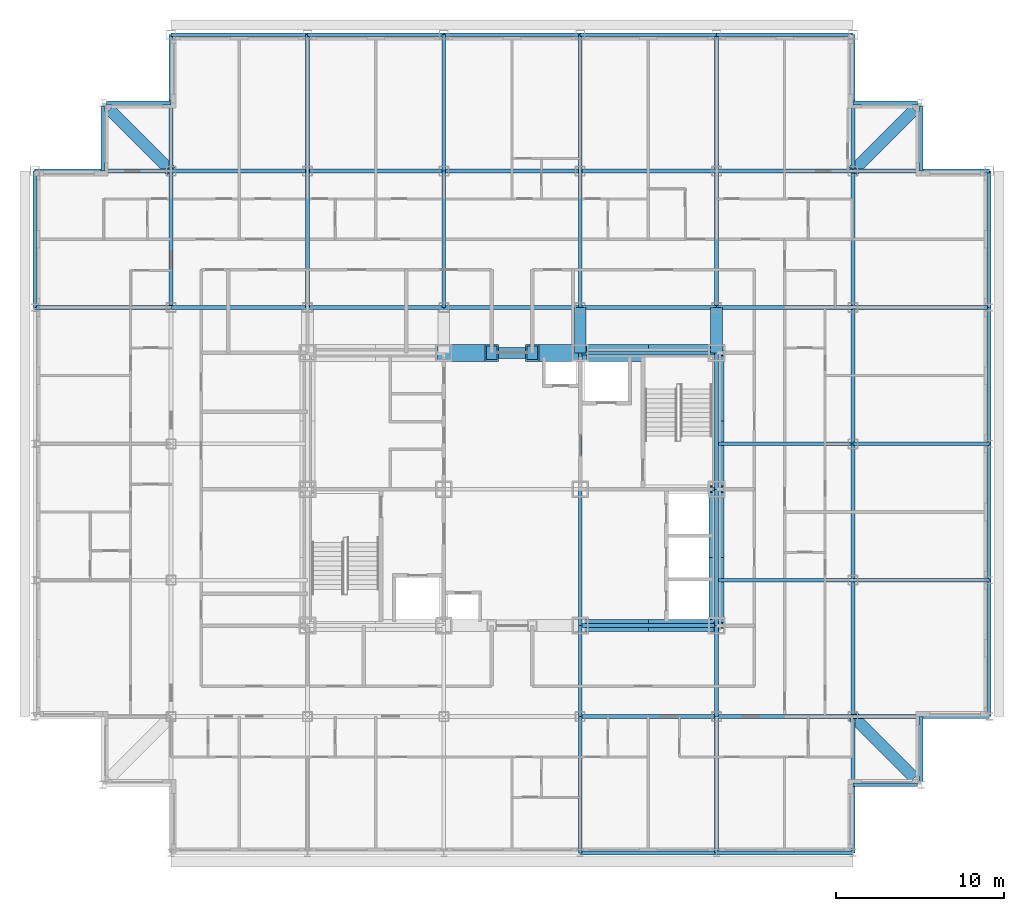
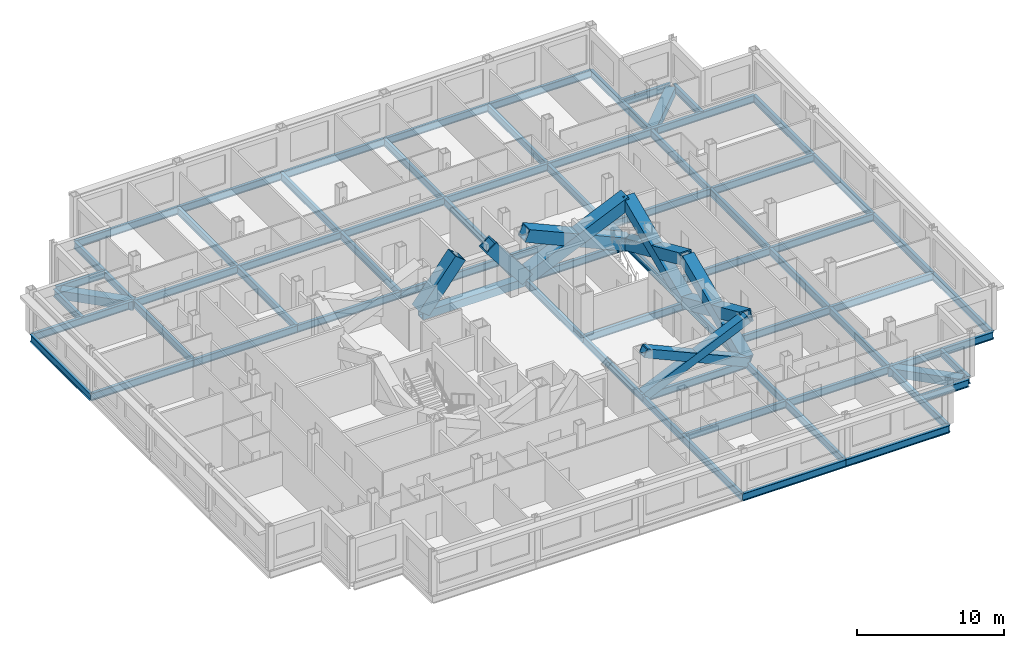
# One storey, part 2 of 12: 72 beams, 10 members.
"""IFC4 building model written with IfcOpenShell, lengths in metres."""

from ifc_helpers import new_model, si_unit, direction, frame, origin, origin_2d, place, context, subcontext, project, spatial, hollow_rectangle, i_section, extrude, material, material_profile, profile_set, type_object, element, save


model = new_model("IFC4")

# Units and contexts
model_context = context("Model", 3, precision=1e-05, world=origin(), true_north=direction((0.0, 1.0)))
body_context = subcontext(model_context, "Body", "Model", "MODEL_VIEW")
ifc_project = project(units=[si_unit("LENGTHUNIT", "METRE"), si_unit("AREAUNIT", "SQUARE_METRE"), si_unit("VOLUMEUNIT", "CUBIC_METRE"), si_unit("PLANEANGLEUNIT", "RADIAN"), si_unit("MASSUNIT", "GRAM", prefix="KILO")], contexts=[model_context])

# Site, building, storey
site_placement = place(None, origin())
site = spatial("IfcSite", under=ifc_project, at=site_placement, CompositionType="ELEMENT")
building_placement = place(site_placement, origin())
building = spatial("IfcBuilding", under=site, at=building_placement, Name="Kopane Lantern Tower", CompositionType="ELEMENT")
storey_placement = place(building_placement, frame((0.0, 0.0, 202.800048828125)))
storey = spatial("IfcBuildingStorey", under=building, at=storey_placement, Name="L52", CompositionType="ELEMENT", Elevation=202.800048828125)

# Members
ifc_material_1 = material(Name="Steel S355JR", Category="steel")
ifc_material_profile_1 = material_profile(ifc_material_1, hollow_rectangle(XDim=1.0, YDim=1.0, WallThickness=0.10009765625, at=origin_2d()), Name="BOX 1000x1000x100")
ifc_profile_set_1 = profile_set([ifc_material_profile_1], Name="Steel S355JR")
member_type_1 = type_object("IfcMemberType", Name="BRACE BOX 1000x1000x100", PredefinedType="BRACE", material=ifc_profile_set_1)
for number, where, z_axis, x_axis, name in (
    (1, (24.300048828125, 40.5, -0.2099609375), (0.620698858423, 0.0, 0.784049059149), (0.0, 1.0, 0.0), "Core brace L52"),
    (2, (32.39990234375, 40.5, -0.2099609375), (-0.620698858423, 0.0, 0.784049059149), (0.0, -1.0, 0.0), "Core brace L52"),
):
    element("IfcMember", number, at=place(storey_placement, frame(where, z_axis=z_axis, x_axis=x_axis)), inside=storey, type_object=member_type_1, Name=name, PredefinedType="BRACE", context=body_context, shape_type="SweptSolid", body=[
        extrude(hollow_rectangle(XDim=1.0, YDim=1.0, WallThickness=0.10009765625, at=origin_2d()), origin(), (0.0, 0.0, 1.0), 4.59130859375),
    ])
for number, where, z_axis, x_axis, name in (
    (3, (32.39990234375, 40.5, -0.2099609375), (0.913819498983, 0.0, 0.406120577265), (0.0, 1.0, 0.0), "Core brace L52"),
    (4, (40.5, 40.5, -0.2099609375), (-0.913819498983, 0.0, 0.406120577265), (0.0, -1.0, 0.0), "Core brace L52"),
):
    element("IfcMember", number, at=place(storey_placement, frame(where, z_axis=z_axis, x_axis=x_axis)), inside=storey, type_object=member_type_1, Name=name, PredefinedType="BRACE", context=body_context, shape_type="SweptSolid", body=[
        extrude(hollow_rectangle(XDim=1.0, YDim=1.0, WallThickness=0.10009765625, at=origin_2d()), origin(), (0.0, 0.0, 1.0), 8.864013671875),
    ])
ifc_material_2 = material(Name="Steel S355JR", Category="steel")
ifc_material_profile_2 = material_profile(ifc_material_2, hollow_rectangle(XDim=0.699951171875, YDim=0.699951171875, WallThickness=0.06005859375, at=origin_2d()), Name="BOX 700x700x60")
ifc_profile_set_2 = profile_set([ifc_material_profile_2], Name="Steel S355JR")
member_type_2 = type_object("IfcMemberType", Name="BRACE BOX 700x700x60", PredefinedType="BRACE", material=ifc_profile_set_2)
for number, where, z_axis, x_axis, name in (
    (5, (32.39990234375, 24.300048828125, -0.2099609375), (0.913819498983, 0.0, 0.406120577265), (0.0, 1.0, 0.0), "Core brace L52"),
    (6, (40.5, 24.300048828125, -0.2099609375), (-0.913819498983, 0.0, 0.406120577265), (0.0, -1.0, 0.0), "Core brace L52"),
):
    element("IfcMember", number, at=place(storey_placement, frame(where, z_axis=z_axis, x_axis=x_axis)), inside=storey, type_object=member_type_2, Name=name, PredefinedType="BRACE", context=body_context, shape_type="SweptSolid", body=[
        extrude(hollow_rectangle(XDim=0.699951171875, YDim=0.699951171875, WallThickness=0.06005859375, at=origin_2d()), origin(), (0.0, 0.0, 1.0), 8.864013671875),
    ])
ifc_material_3 = material(Name="Steel S355JR", Category="steel")
ifc_material_profile_3 = material_profile(ifc_material_3, hollow_rectangle(XDim=0.89990234375, YDim=0.89990234375, WallThickness=0.090087890625, at=origin_2d()), Name="BOX 900x900x90")
ifc_profile_set_3 = profile_set([ifc_material_profile_3], Name="Steel S355JR")
member_type_3 = type_object("IfcMemberType", Name="BRACE BOX 900x900x90", PredefinedType="BRACE", material=ifc_profile_set_3)
for number, where, z_axis, x_axis, name in (
    (7, (40.5, 24.300048828125, -0.2099609375), (0.0, 0.913814956047, 0.406130799256), (-1.0, 0.0, 0.0), "Core brace L52"),
    (8, (40.5, 32.39990234375, -0.2099609375), (0.0, -0.913814956047, 0.406130799256), (1.0, 0.0, 0.0), "Core brace L52"),
):
    element("IfcMember", number, at=place(storey_placement, frame(where, z_axis=z_axis, x_axis=x_axis)), inside=storey, type_object=member_type_3, Name=name, PredefinedType="BRACE", context=body_context, shape_type="SweptSolid", body=[
        extrude(hollow_rectangle(XDim=0.89990234375, YDim=0.89990234375, WallThickness=0.090087890625, at=origin_2d()), origin(), (0.0, 0.0, 1.0), 8.86376953125),
    ])
for number, where, z_axis, x_axis, name in (
    (9, (40.5, 32.39990234375, -0.2099609375), (0.0, 0.913819498983, 0.406120577265), (-1.0, 0.0, 0.0), "Core brace L52"),
    (10, (40.5, 40.5, -0.2099609375), (0.0, -0.913819498983, 0.406120577265), (1.0, 0.0, 0.0), "Core brace L52"),
):
    element("IfcMember", number, at=place(storey_placement, frame(where, z_axis=z_axis, x_axis=x_axis)), inside=storey, type_object=member_type_3, Name=name, PredefinedType="BRACE", context=body_context, shape_type="SweptSolid", body=[
        extrude(hollow_rectangle(XDim=0.89990234375, YDim=0.89990234375, WallThickness=0.090087890625, at=origin_2d()), origin(), (0.0, 0.0, 1.0), 8.864013671875),
    ])

# Beams
ifc_material_4 = material(Name="Steel S355JR", Category="steel")
ifc_material_profile_4 = material_profile(ifc_material_4, i_section(OverallWidth=0.22900390625, OverallDepth=0.6123046875, WebThickness=0.011962890625, FlangeThickness=0.01953125, FilletRadius=0.0126953125, at=origin_2d()), Name="UB 610x229x125")
ifc_profile_set_4 = profile_set([ifc_material_profile_4], Name="Steel S355JR")
beam_type_1 = type_object("IfcBeamType", Name="CORE BEAM UB 610x229x125", PredefinedType="BEAM", material=ifc_profile_set_4)
beam_1_placement = place(storey_placement, frame((32.39990234375, 24.300048828125, -0.51611328125), z_axis=(0.0, 1.0, 0.0), x_axis=(-1.0, 0.0, 0.0)))
element("IfcBeam", 11, at=beam_1_placement, inside=storey, type_object=beam_type_1, Name="Core Beam L52", PredefinedType="BEAM", context=body_context, shape_type="SweptSolid", body=[
    extrude(i_section(OverallWidth=0.22900390625, OverallDepth=0.6123046875, WebThickness=0.011962890625, FlangeThickness=0.01953125, FilletRadius=0.0126953125, at=origin_2d()), origin(), (0.0, 0.0, 1.0), 8.099853515625),
])
for number, where, z_axis, x_axis, name in (
    (12, (32.39990234375, 32.39990234375, -0.51611328125), (0.0, 1.0, 0.0), (-1.0, 0.0, 0.0), "Core Beam L52"),
    (13, (32.39990234375, 32.39990234375, -0.51611328125), (1.0, 0.0, 0.0), (0.0, 1.0, 0.0), "Core Beam L52"),
):
    element("IfcBeam", number, at=place(storey_placement, frame(where, z_axis=z_axis, x_axis=x_axis)), inside=storey, type_object=beam_type_1, Name=name, PredefinedType="BEAM", context=body_context, shape_type="SweptSolid", body=[
        extrude(i_section(OverallWidth=0.22900390625, OverallDepth=0.6123046875, WebThickness=0.011962890625, FlangeThickness=0.01953125, FilletRadius=0.0126953125, at=origin_2d()), origin(), (0.0, 0.0, 1.0), 8.10009765625),
    ])
ifc_material_5 = material(Name="Steel S355JR", Category="steel")
ifc_material_profile_5 = material_profile(ifc_material_5, hollow_rectangle(XDim=0.699951171875, YDim=0.699951171875, WallThickness=0.06005859375, at=origin_2d()), Name="BOX 700x700x60")
ifc_profile_set_5 = profile_set([ifc_material_profile_5], Name="Steel S355JR")
beam_type_2 = type_object("IfcBeamType", Name="CORNER TIE BEAM BOX 700x700x60", PredefinedType="BEAM", material=ifc_profile_set_5)
for number, where, z_axis, x_axis, name in (
    (14, (4.447509765625, 54.952392578125, -0.56005859375), (0.70713041325, -0.707083148333, 0.0), (0.707083148333, 0.70713041325, 0.0), "Corner Tie Beam L52"),
    (15, (52.25244140625, 15.24755859375, -0.56005859375), (-0.707106781187, 0.707106781187, 0.0), (-0.707106781187, -0.707106781187, 0.0), "Corner Tie Beam L52"),
    (16, (52.25244140625, 54.952392578125, -0.56005859375), (-0.707106781187, -0.707106781187, 0.0), (0.707106781187, -0.707106781187, 0.0), "Corner Tie Beam L52"),
):
    element("IfcBeam", number, at=place(storey_placement, frame(where, z_axis=z_axis, x_axis=x_axis)), inside=storey, type_object=beam_type_2, Name=name, PredefinedType="BEAM", context=body_context, shape_type="SweptSolid", body=[
        extrude(hollow_rectangle(XDim=0.699951171875, YDim=0.699951171875, WallThickness=0.06005859375, at=origin_2d()), origin(), (0.0, 0.0, 1.0), 5.165283203125),
    ])
ifc_material_6 = material(Name="Steel S355JR", Category="steel")
ifc_material_profile_6 = material_profile(ifc_material_6, i_section(OverallWidth=0.22900390625, OverallDepth=0.6123046875, WebThickness=0.011962890625, FlangeThickness=0.01953125, FilletRadius=0.0126953125, at=origin_2d()), Name="UB 610x229x125")
ifc_profile_set_6 = profile_set([ifc_material_profile_6], Name="Steel S355JR")
beam_type_3 = type_object("IfcBeamType", Name="EDGE BEAM UB 610x229x125", PredefinedType="BEAM", material=ifc_profile_set_6)
beam_2_placement = place(storey_placement, frame((4.050048828125, 55.146484375, -0.51611328125), z_axis=(0.0, -1.0, 0.0), x_axis=(1.0, 0.0, 0.0)))
element("IfcBeam", 17, at=beam_2_placement, inside=storey, type_object=beam_type_3, Name="Edge Beam L52", PredefinedType="BEAM", context=body_context, shape_type="SweptSolid", body=[
    extrude(i_section(OverallWidth=0.22900390625, OverallDepth=0.6123046875, WebThickness=0.011962890625, FlangeThickness=0.01953125, FilletRadius=0.0126953125, at=origin_2d()), origin(), (0.0, 0.0, 1.0), 3.846435546875),
])
beam_3_placement = place(storey_placement, frame((4.25341796875, 55.35009765625, -0.51611328125), z_axis=(1.0, 0.0, 0.0), x_axis=(0.0, 1.0, 0.0)))
element("IfcBeam", 18, at=beam_3_placement, inside=storey, type_object=beam_type_3, Name="Edge Beam L52", PredefinedType="BEAM", context=body_context, shape_type="SweptSolid", body=[
    extrude(i_section(OverallWidth=0.22900390625, OverallDepth=0.6123046875, WebThickness=0.011962890625, FlangeThickness=0.01953125, FilletRadius=0.0126953125, at=origin_2d()), origin(), (0.0, 0.0, 1.0), 3.8466796875),
])
for number, where, z_axis, x_axis, name in (
    (19, (52.446533203125, 14.85009765625, -0.51611328125), (-1.0, 0.0, 0.0), (0.0, -1.0, 0.0), "Edge Beam L52"),
    (20, (52.446533203125, 55.35009765625, -0.51611328125), (-1.0, 0.0, 0.0), (0.0, -1.0, 0.0), "Edge Beam L52"),
    (21, (52.64990234375, 15.053466796875, -0.51611328125), (0.0, 1.0, 0.0), (-1.0, 0.0, 0.0), "Edge Beam L52"),
    (22, (52.64990234375, 55.146484375, -0.51611328125), (0.0, -1.0, 0.0), (1.0, 0.0, 0.0), "Edge Beam L52"),
):
    element("IfcBeam", number, at=place(storey_placement, frame(where, z_axis=z_axis, x_axis=x_axis)), inside=storey, type_object=beam_type_3, Name=name, PredefinedType="BEAM", context=body_context, shape_type="SweptSolid", body=[
        extrude(i_section(OverallWidth=0.22900390625, OverallDepth=0.6123046875, WebThickness=0.011962890625, FlangeThickness=0.01953125, FilletRadius=0.0126953125, at=origin_2d()), origin(), (0.0, 0.0, 1.0), 3.846435546875),
    ])
ifc_material_7 = material(Name="Steel S355JR", Category="steel")
ifc_material_profile_7 = material_profile(ifc_material_7, hollow_rectangle(XDim=0.699951171875, YDim=0.699951171875, WallThickness=0.06005859375, at=origin_2d()), Name="BOX 700x700x60")
ifc_profile_set_7 = profile_set([ifc_material_profile_7], Name="Steel S355JR")
beam_type_4 = type_object("IfcBeamType", Name="GIRDER BOX 700x700x60", PredefinedType="BEAM", material=ifc_profile_set_7)
for number, where, z_axis, x_axis, name in (
    (23, (32.39990234375, 40.5, -0.56005859375), (0.0, 1.0, 0.0), (-1.0, 0.0, 0.0), "Girder L52"),
    (24, (40.5, 40.5, -0.56005859375), (0.0, 1.0, 0.0), (-1.0, 0.0, 0.0), "Girder L52"),
):
    element("IfcBeam", number, at=place(storey_placement, frame(where, z_axis=z_axis, x_axis=x_axis)), inside=storey, type_object=beam_type_4, Name=name, PredefinedType="BEAM", context=body_context, shape_type="SweptSolid", body=[
        extrude(hollow_rectangle(XDim=0.699951171875, YDim=0.699951171875, WallThickness=0.06005859375, at=origin_2d()), origin(), (0.0, 0.0, 1.0), 2.699951171875),
    ])
ifc_material_8 = material(Name="Steel S355JR", Category="steel")
ifc_material_profile_8 = material_profile(ifc_material_8, i_section(OverallWidth=0.22900390625, OverallDepth=0.6123046875, WebThickness=0.011962890625, FlangeThickness=0.01953125, FilletRadius=0.0126953125, at=origin_2d()), Name="UB 610x229x125")
ifc_profile_set_8 = profile_set([ifc_material_profile_8], Name="Steel S355JR")
beam_type_5 = type_object("IfcBeamType", Name="GIRDER UB 610x229x125", PredefinedType="BEAM", material=ifc_profile_set_8)
for number, where, z_axis, x_axis, name in (
    (25, (0.0, 43.199951171875, -0.51611328125), (0.0, 1.0, 0.0), (-1.0, 0.0, 0.0), "Girder L52"),
    (26, (0.0, 43.199951171875, -0.51611328125), (1.0, 0.0, 0.0), (0.0, 1.0, 0.0), "Girder L52"),
    (27, (0.0, 51.300048828125, -0.51611328125), (1.0, 0.0, 0.0), (0.0, 1.0, 0.0), "Girder L52"),
    (28, (8.10009765625, 43.199951171875, -0.51611328125), (0.0, 1.0, 0.0), (-1.0, 0.0, 0.0), "Girder L52"),
):
    element("IfcBeam", number, at=place(storey_placement, frame(where, z_axis=z_axis, x_axis=x_axis)), inside=storey, type_object=beam_type_5, Name=name, PredefinedType="BEAM", context=body_context, shape_type="SweptSolid", body=[
        extrude(i_section(OverallWidth=0.22900390625, OverallDepth=0.6123046875, WebThickness=0.011962890625, FlangeThickness=0.01953125, FilletRadius=0.0126953125, at=origin_2d()), origin(), (0.0, 0.0, 1.0), 8.10009765625),
    ])
for number, where, z_axis, x_axis, name in (
    (29, (8.10009765625, 43.199951171875, -0.51611328125), (1.0, 0.0, 0.0), (0.0, 1.0, 0.0), "Girder L52"),
    (30, (8.10009765625, 51.300048828125, -0.51611328125), (0.0, 1.0, 0.0), (-1.0, 0.0, 0.0), "Girder L52"),
    (31, (8.10009765625, 51.300048828125, -0.51611328125), (1.0, 0.0, 0.0), (0.0, 1.0, 0.0), "Girder L52"),
    (32, (8.10009765625, 59.39990234375, -0.51611328125), (1.0, 0.0, 0.0), (0.0, 1.0, 0.0), "Girder L52"),
):
    element("IfcBeam", number, at=place(storey_placement, frame(where, z_axis=z_axis, x_axis=x_axis)), inside=storey, type_object=beam_type_5, Name=name, PredefinedType="BEAM", context=body_context, shape_type="SweptSolid", body=[
        extrude(i_section(OverallWidth=0.22900390625, OverallDepth=0.6123046875, WebThickness=0.011962890625, FlangeThickness=0.01953125, FilletRadius=0.0126953125, at=origin_2d()), origin(), (0.0, 0.0, 1.0), 8.099853515625),
    ])
for number, where, z_axis, x_axis, name in (
    (33, (16.199951171875, 43.199951171875, -0.51611328125), (0.0, 1.0, 0.0), (-1.0, 0.0, 0.0), "Girder L52"),
    (34, (16.199951171875, 43.199951171875, -0.51611328125), (1.0, 0.0, 0.0), (0.0, 1.0, 0.0), "Girder L52"),
):
    element("IfcBeam", number, at=place(storey_placement, frame(where, z_axis=z_axis, x_axis=x_axis)), inside=storey, type_object=beam_type_5, Name=name, PredefinedType="BEAM", context=body_context, shape_type="SweptSolid", body=[
        extrude(i_section(OverallWidth=0.22900390625, OverallDepth=0.6123046875, WebThickness=0.011962890625, FlangeThickness=0.01953125, FilletRadius=0.0126953125, at=origin_2d()), origin(), (0.0, 0.0, 1.0), 8.10009765625),
    ])
beam_4_placement = place(storey_placement, frame((16.199951171875, 51.300048828125, -0.51611328125), z_axis=(0.0, 1.0, 0.0), x_axis=(-1.0, 0.0, 0.0)))
element("IfcBeam", 35, at=beam_4_placement, inside=storey, type_object=beam_type_5, Name="Girder L52", PredefinedType="BEAM", context=body_context, shape_type="SweptSolid", body=[
    extrude(i_section(OverallWidth=0.22900390625, OverallDepth=0.6123046875, WebThickness=0.011962890625, FlangeThickness=0.01953125, FilletRadius=0.0126953125, at=origin_2d()), origin(), (0.0, 0.0, 1.0), 8.099853515625),
])
for number, where, z_axis, x_axis, name in (
    (36, (16.199951171875, 51.300048828125, -0.51611328125), (1.0, 0.0, 0.0), (0.0, 1.0, 0.0), "Girder L52"),
    (37, (16.199951171875, 59.39990234375, -0.51611328125), (1.0, 0.0, 0.0), (0.0, 1.0, 0.0), "Girder L52"),
    (38, (24.300048828125, 43.199951171875, -0.51611328125), (0.0, 1.0, 0.0), (-1.0, 0.0, 0.0), "Girder L52"),
):
    element("IfcBeam", number, at=place(storey_placement, frame(where, z_axis=z_axis, x_axis=x_axis)), inside=storey, type_object=beam_type_5, Name=name, PredefinedType="BEAM", context=body_context, shape_type="SweptSolid", body=[
        extrude(i_section(OverallWidth=0.22900390625, OverallDepth=0.6123046875, WebThickness=0.011962890625, FlangeThickness=0.01953125, FilletRadius=0.0126953125, at=origin_2d()), origin(), (0.0, 0.0, 1.0), 8.10009765625),
    ])
for number, where, z_axis, x_axis, name in (
    (39, (24.300048828125, 43.199951171875, -0.51611328125), (1.0, 0.0, 0.0), (0.0, 1.0, 0.0), "Girder L52"),
    (40, (24.300048828125, 51.300048828125, -0.51611328125), (0.0, 1.0, 0.0), (-1.0, 0.0, 0.0), "Girder L52"),
    (41, (24.300048828125, 51.300048828125, -0.51611328125), (1.0, 0.0, 0.0), (0.0, 1.0, 0.0), "Girder L52"),
    (42, (24.300048828125, 59.39990234375, -0.51611328125), (1.0, 0.0, 0.0), (0.0, 1.0, 0.0), "Girder L52"),
    (43, (32.39990234375, 10.800048828125, -0.51611328125), (0.0, 1.0, 0.0), (-1.0, 0.0, 0.0), "Girder L52"),
):
    element("IfcBeam", number, at=place(storey_placement, frame(where, z_axis=z_axis, x_axis=x_axis)), inside=storey, type_object=beam_type_5, Name=name, PredefinedType="BEAM", context=body_context, shape_type="SweptSolid", body=[
        extrude(i_section(OverallWidth=0.22900390625, OverallDepth=0.6123046875, WebThickness=0.011962890625, FlangeThickness=0.01953125, FilletRadius=0.0126953125, at=origin_2d()), origin(), (0.0, 0.0, 1.0), 8.099853515625),
    ])
beam_5_placement = place(storey_placement, frame((32.39990234375, 10.800048828125, -0.51611328125), z_axis=(1.0, 0.0, 0.0), x_axis=(0.0, 1.0, 0.0)))
element("IfcBeam", 44, at=beam_5_placement, inside=storey, type_object=beam_type_5, Name="Girder L52", PredefinedType="BEAM", context=body_context, shape_type="SweptSolid", body=[
    extrude(i_section(OverallWidth=0.22900390625, OverallDepth=0.6123046875, WebThickness=0.011962890625, FlangeThickness=0.01953125, FilletRadius=0.0126953125, at=origin_2d()), origin(), (0.0, 0.0, 1.0), 8.10009765625),
])
beam_6_placement = place(storey_placement, frame((32.39990234375, 18.89990234375, -0.51611328125), z_axis=(0.0, 1.0, 0.0), x_axis=(-1.0, 0.0, 0.0)))
element("IfcBeam", 45, at=beam_6_placement, inside=storey, type_object=beam_type_5, Name="Girder L52", PredefinedType="BEAM", context=body_context, shape_type="SweptSolid", body=[
    extrude(i_section(OverallWidth=0.22900390625, OverallDepth=0.6123046875, WebThickness=0.011962890625, FlangeThickness=0.01953125, FilletRadius=0.0126953125, at=origin_2d()), origin(), (0.0, 0.0, 1.0), 5.400146484375),
])
for number, where, z_axis, x_axis, name in (
    (46, (32.39990234375, 18.89990234375, -0.51611328125), (1.0, 0.0, 0.0), (0.0, 1.0, 0.0), "Girder L52"),
    (47, (32.39990234375, 24.300048828125, -0.51611328125), (1.0, 0.0, 0.0), (0.0, 1.0, 0.0), "Girder L52"),
    (48, (32.39990234375, 40.5, -0.51611328125), (1.0, 0.0, 0.0), (0.0, 1.0, 0.0), "Girder L52"),
    (49, (32.39990234375, 43.199951171875, -0.51611328125), (0.0, 1.0, 0.0), (-1.0, 0.0, 0.0), "Girder L52"),
    (50, (32.39990234375, 43.199951171875, -0.51611328125), (1.0, 0.0, 0.0), (0.0, 1.0, 0.0), "Girder L52"),
):
    element("IfcBeam", number, at=place(storey_placement, frame(where, z_axis=z_axis, x_axis=x_axis)), inside=storey, type_object=beam_type_5, Name=name, PredefinedType="BEAM", context=body_context, shape_type="SweptSolid", body=[
        extrude(i_section(OverallWidth=0.22900390625, OverallDepth=0.6123046875, WebThickness=0.011962890625, FlangeThickness=0.01953125, FilletRadius=0.0126953125, at=origin_2d()), origin(), (0.0, 0.0, 1.0), 8.10009765625),
    ])
beam_7_placement = place(storey_placement, frame((32.39990234375, 51.300048828125, -0.51611328125), z_axis=(0.0, 1.0, 0.0), x_axis=(-1.0, 0.0, 0.0)))
element("IfcBeam", 51, at=beam_7_placement, inside=storey, type_object=beam_type_5, Name="Girder L52", PredefinedType="BEAM", context=body_context, shape_type="SweptSolid", body=[
    extrude(i_section(OverallWidth=0.22900390625, OverallDepth=0.6123046875, WebThickness=0.011962890625, FlangeThickness=0.01953125, FilletRadius=0.0126953125, at=origin_2d()), origin(), (0.0, 0.0, 1.0), 8.099853515625),
])
for number, where, z_axis, x_axis, name in (
    (52, (32.39990234375, 51.300048828125, -0.51611328125), (1.0, 0.0, 0.0), (0.0, 1.0, 0.0), "Girder L52"),
    (53, (32.39990234375, 59.39990234375, -0.51611328125), (1.0, 0.0, 0.0), (0.0, 1.0, 0.0), "Girder L52"),
):
    element("IfcBeam", number, at=place(storey_placement, frame(where, z_axis=z_axis, x_axis=x_axis)), inside=storey, type_object=beam_type_5, Name=name, PredefinedType="BEAM", context=body_context, shape_type="SweptSolid", body=[
        extrude(i_section(OverallWidth=0.22900390625, OverallDepth=0.6123046875, WebThickness=0.011962890625, FlangeThickness=0.01953125, FilletRadius=0.0126953125, at=origin_2d()), origin(), (0.0, 0.0, 1.0), 8.10009765625),
    ])
beam_8_placement = place(storey_placement, frame((40.5, 10.800048828125, -0.51611328125), z_axis=(0.0, 1.0, 0.0), x_axis=(-1.0, 0.0, 0.0)))
element("IfcBeam", 54, at=beam_8_placement, inside=storey, type_object=beam_type_5, Name="Girder L52", PredefinedType="BEAM", context=body_context, shape_type="SweptSolid", body=[
    extrude(i_section(OverallWidth=0.22900390625, OverallDepth=0.6123046875, WebThickness=0.011962890625, FlangeThickness=0.01953125, FilletRadius=0.0126953125, at=origin_2d()), origin(), (0.0, 0.0, 1.0), 8.099853515625),
])
beam_9_placement = place(storey_placement, frame((40.5, 10.800048828125, -0.51611328125), z_axis=(1.0, 0.0, 0.0), x_axis=(0.0, 1.0, 0.0)))
element("IfcBeam", 55, at=beam_9_placement, inside=storey, type_object=beam_type_5, Name="Girder L52", PredefinedType="BEAM", context=body_context, shape_type="SweptSolid", body=[
    extrude(i_section(OverallWidth=0.22900390625, OverallDepth=0.6123046875, WebThickness=0.011962890625, FlangeThickness=0.01953125, FilletRadius=0.0126953125, at=origin_2d()), origin(), (0.0, 0.0, 1.0), 8.10009765625),
])
beam_10_placement = place(storey_placement, frame((40.5, 18.89990234375, -0.51611328125), z_axis=(0.0, 1.0, 0.0), x_axis=(-1.0, 0.0, 0.0)))
element("IfcBeam", 56, at=beam_10_placement, inside=storey, type_object=beam_type_5, Name="Girder L52", PredefinedType="BEAM", context=body_context, shape_type="SweptSolid", body=[
    extrude(i_section(OverallWidth=0.22900390625, OverallDepth=0.6123046875, WebThickness=0.011962890625, FlangeThickness=0.01953125, FilletRadius=0.0126953125, at=origin_2d()), origin(), (0.0, 0.0, 1.0), 5.400146484375),
])
beam_11_placement = place(storey_placement, frame((40.5, 18.89990234375, -0.51611328125), z_axis=(1.0, 0.0, 0.0), x_axis=(0.0, 1.0, 0.0)))
element("IfcBeam", 57, at=beam_11_placement, inside=storey, type_object=beam_type_5, Name="Girder L52", PredefinedType="BEAM", context=body_context, shape_type="SweptSolid", body=[
    extrude(i_section(OverallWidth=0.22900390625, OverallDepth=0.6123046875, WebThickness=0.011962890625, FlangeThickness=0.01953125, FilletRadius=0.0126953125, at=origin_2d()), origin(), (0.0, 0.0, 1.0), 8.10009765625),
])
beam_12_placement = place(storey_placement, frame((40.5, 24.300048828125, -0.51611328125), z_axis=(0.0, 1.0, 0.0), x_axis=(-1.0, 0.0, 0.0)))
element("IfcBeam", 58, at=beam_12_placement, inside=storey, type_object=beam_type_5, Name="Girder L52", PredefinedType="BEAM", context=body_context, shape_type="SweptSolid", body=[
    extrude(i_section(OverallWidth=0.22900390625, OverallDepth=0.6123046875, WebThickness=0.011962890625, FlangeThickness=0.01953125, FilletRadius=0.0126953125, at=origin_2d()), origin(), (0.0, 0.0, 1.0), 8.099853515625),
])
for number, where, z_axis, x_axis, name in (
    (59, (40.5, 27.0, -0.51611328125), (1.0, 0.0, 0.0), (0.0, 1.0, 0.0), "Girder L52"),
    (60, (40.5, 32.39990234375, -0.51611328125), (0.0, 1.0, 0.0), (-1.0, 0.0, 0.0), "Girder L52"),
    (61, (40.5, 35.10009765625, -0.51611328125), (1.0, 0.0, 0.0), (0.0, 1.0, 0.0), "Girder L52"),
    (62, (40.5, 43.199951171875, -0.51611328125), (0.0, 1.0, 0.0), (-1.0, 0.0, 0.0), "Girder L52"),
    (63, (40.5, 43.199951171875, -0.51611328125), (1.0, 0.0, 0.0), (0.0, 1.0, 0.0), "Girder L52"),
):
    element("IfcBeam", number, at=place(storey_placement, frame(where, z_axis=z_axis, x_axis=x_axis)), inside=storey, type_object=beam_type_5, Name=name, PredefinedType="BEAM", context=body_context, shape_type="SweptSolid", body=[
        extrude(i_section(OverallWidth=0.22900390625, OverallDepth=0.6123046875, WebThickness=0.011962890625, FlangeThickness=0.01953125, FilletRadius=0.0126953125, at=origin_2d()), origin(), (0.0, 0.0, 1.0), 8.10009765625),
    ])
beam_13_placement = place(storey_placement, frame((40.5, 51.300048828125, -0.51611328125), z_axis=(0.0, 1.0, 0.0), x_axis=(-1.0, 0.0, 0.0)))
element("IfcBeam", 64, at=beam_13_placement, inside=storey, type_object=beam_type_5, Name="Girder L52", PredefinedType="BEAM", context=body_context, shape_type="SweptSolid", body=[
    extrude(i_section(OverallWidth=0.22900390625, OverallDepth=0.6123046875, WebThickness=0.011962890625, FlangeThickness=0.01953125, FilletRadius=0.0126953125, at=origin_2d()), origin(), (0.0, 0.0, 1.0), 8.099853515625),
])
for number, where, z_axis, x_axis, name in (
    (65, (40.5, 51.300048828125, -0.51611328125), (1.0, 0.0, 0.0), (0.0, 1.0, 0.0), "Girder L52"),
    (66, (40.5, 59.39990234375, -0.51611328125), (1.0, 0.0, 0.0), (0.0, 1.0, 0.0), "Girder L52"),
):
    element("IfcBeam", number, at=place(storey_placement, frame(where, z_axis=z_axis, x_axis=x_axis)), inside=storey, type_object=beam_type_5, Name=name, PredefinedType="BEAM", context=body_context, shape_type="SweptSolid", body=[
        extrude(i_section(OverallWidth=0.22900390625, OverallDepth=0.6123046875, WebThickness=0.011962890625, FlangeThickness=0.01953125, FilletRadius=0.0126953125, at=origin_2d()), origin(), (0.0, 0.0, 1.0), 8.10009765625),
    ])
beam_14_placement = place(storey_placement, frame((48.60009765625, 10.800048828125, -0.51611328125), z_axis=(0.0, 1.0, 0.0), x_axis=(-1.0, 0.0, 0.0)))
element("IfcBeam", 67, at=beam_14_placement, inside=storey, type_object=beam_type_5, Name="Girder L52", PredefinedType="BEAM", context=body_context, shape_type="SweptSolid", body=[
    extrude(i_section(OverallWidth=0.22900390625, OverallDepth=0.6123046875, WebThickness=0.011962890625, FlangeThickness=0.01953125, FilletRadius=0.0126953125, at=origin_2d()), origin(), (0.0, 0.0, 1.0), 8.099853515625),
])
beam_15_placement = place(storey_placement, frame((48.60009765625, 18.89990234375, -0.51611328125), z_axis=(0.0, 1.0, 0.0), x_axis=(-1.0, 0.0, 0.0)))
element("IfcBeam", 68, at=beam_15_placement, inside=storey, type_object=beam_type_5, Name="Girder L52", PredefinedType="BEAM", context=body_context, shape_type="SweptSolid", body=[
    extrude(i_section(OverallWidth=0.22900390625, OverallDepth=0.6123046875, WebThickness=0.011962890625, FlangeThickness=0.01953125, FilletRadius=0.0126953125, at=origin_2d()), origin(), (0.0, 0.0, 1.0), 8.10009765625),
])
beam_16_placement = place(storey_placement, frame((48.60009765625, 18.89990234375, -0.51611328125), z_axis=(1.0, 0.0, 0.0), x_axis=(0.0, 1.0, 0.0)))
element("IfcBeam", 69, at=beam_16_placement, inside=storey, type_object=beam_type_5, Name="Girder L52", PredefinedType="BEAM", context=body_context, shape_type="SweptSolid", body=[
    extrude(i_section(OverallWidth=0.22900390625, OverallDepth=0.6123046875, WebThickness=0.011962890625, FlangeThickness=0.01953125, FilletRadius=0.0126953125, at=origin_2d()), origin(), (0.0, 0.0, 1.0), 8.099853515625),
])
beam_17_placement = place(storey_placement, frame((48.60009765625, 27.0, -0.51611328125), z_axis=(0.0, 1.0, 0.0), x_axis=(-1.0, 0.0, 0.0)))
element("IfcBeam", 70, at=beam_17_placement, inside=storey, type_object=beam_type_5, Name="Girder L52", PredefinedType="BEAM", context=body_context, shape_type="SweptSolid", body=[
    extrude(i_section(OverallWidth=0.22900390625, OverallDepth=0.6123046875, WebThickness=0.011962890625, FlangeThickness=0.01953125, FilletRadius=0.0126953125, at=origin_2d()), origin(), (0.0, 0.0, 1.0), 8.10009765625),
])
for number, where, z_axis, x_axis, name in (
    (71, (48.60009765625, 27.0, -0.51611328125), (1.0, 0.0, 0.0), (0.0, 1.0, 0.0), "Girder L52"),
    (72, (48.60009765625, 35.10009765625, -0.51611328125), (0.0, 1.0, 0.0), (-1.0, 0.0, 0.0), "Girder L52"),
    (73, (48.60009765625, 35.10009765625, -0.51611328125), (1.0, 0.0, 0.0), (0.0, 1.0, 0.0), "Girder L52"),
):
    element("IfcBeam", number, at=place(storey_placement, frame(where, z_axis=z_axis, x_axis=x_axis)), inside=storey, type_object=beam_type_5, Name=name, PredefinedType="BEAM", context=body_context, shape_type="SweptSolid", body=[
        extrude(i_section(OverallWidth=0.22900390625, OverallDepth=0.6123046875, WebThickness=0.011962890625, FlangeThickness=0.01953125, FilletRadius=0.0126953125, at=origin_2d()), origin(), (0.0, 0.0, 1.0), 8.099853515625),
    ])
beam_18_placement = place(storey_placement, frame((48.60009765625, 43.199951171875, -0.51611328125), z_axis=(0.0, 1.0, 0.0), x_axis=(-1.0, 0.0, 0.0)))
element("IfcBeam", 74, at=beam_18_placement, inside=storey, type_object=beam_type_5, Name="Girder L52", PredefinedType="BEAM", context=body_context, shape_type="SweptSolid", body=[
    extrude(i_section(OverallWidth=0.22900390625, OverallDepth=0.6123046875, WebThickness=0.011962890625, FlangeThickness=0.01953125, FilletRadius=0.0126953125, at=origin_2d()), origin(), (0.0, 0.0, 1.0), 8.10009765625),
])
for number, where, z_axis, x_axis, name in (
    (75, (48.60009765625, 43.199951171875, -0.51611328125), (1.0, 0.0, 0.0), (0.0, 1.0, 0.0), "Girder L52"),
    (76, (48.60009765625, 51.300048828125, -0.51611328125), (0.0, 1.0, 0.0), (-1.0, 0.0, 0.0), "Girder L52"),
    (77, (48.60009765625, 51.300048828125, -0.51611328125), (1.0, 0.0, 0.0), (0.0, 1.0, 0.0), "Girder L52"),
):
    element("IfcBeam", number, at=place(storey_placement, frame(where, z_axis=z_axis, x_axis=x_axis)), inside=storey, type_object=beam_type_5, Name=name, PredefinedType="BEAM", context=body_context, shape_type="SweptSolid", body=[
        extrude(i_section(OverallWidth=0.22900390625, OverallDepth=0.6123046875, WebThickness=0.011962890625, FlangeThickness=0.01953125, FilletRadius=0.0126953125, at=origin_2d()), origin(), (0.0, 0.0, 1.0), 8.099853515625),
    ])
for number, where, z_axis, x_axis, name in (
    (78, (56.699951171875, 18.89990234375, -0.51611328125), (0.0, 1.0, 0.0), (-1.0, 0.0, 0.0), "Girder L52"),
    (79, (56.699951171875, 27.0, -0.51611328125), (0.0, 1.0, 0.0), (-1.0, 0.0, 0.0), "Girder L52"),
):
    element("IfcBeam", number, at=place(storey_placement, frame(where, z_axis=z_axis, x_axis=x_axis)), inside=storey, type_object=beam_type_5, Name=name, PredefinedType="BEAM", context=body_context, shape_type="SweptSolid", body=[
        extrude(i_section(OverallWidth=0.22900390625, OverallDepth=0.6123046875, WebThickness=0.011962890625, FlangeThickness=0.01953125, FilletRadius=0.0126953125, at=origin_2d()), origin(), (0.0, 0.0, 1.0), 8.10009765625),
    ])
beam_19_placement = place(storey_placement, frame((56.699951171875, 35.10009765625, -0.51611328125), z_axis=(0.0, 1.0, 0.0), x_axis=(-1.0, 0.0, 0.0)))
element("IfcBeam", 80, at=beam_19_placement, inside=storey, type_object=beam_type_5, Name="Girder L52", PredefinedType="BEAM", context=body_context, shape_type="SweptSolid", body=[
    extrude(i_section(OverallWidth=0.22900390625, OverallDepth=0.6123046875, WebThickness=0.011962890625, FlangeThickness=0.01953125, FilletRadius=0.0126953125, at=origin_2d()), origin(), (0.0, 0.0, 1.0), 8.099853515625),
])
beam_20_placement = place(storey_placement, frame((56.699951171875, 43.199951171875, -0.51611328125), z_axis=(0.0, 1.0, 0.0), x_axis=(-1.0, 0.0, 0.0)))
element("IfcBeam", 81, at=beam_20_placement, inside=storey, type_object=beam_type_5, Name="Girder L52", PredefinedType="BEAM", context=body_context, shape_type="SweptSolid", body=[
    extrude(i_section(OverallWidth=0.22900390625, OverallDepth=0.6123046875, WebThickness=0.011962890625, FlangeThickness=0.01953125, FilletRadius=0.0126953125, at=origin_2d()), origin(), (0.0, 0.0, 1.0), 8.10009765625),
])
ifc_material_9 = material(Name="Steel S355JR", Category="steel")
ifc_material_profile_9 = material_profile(ifc_material_9, hollow_rectangle(XDim=0.64990234375, YDim=0.64990234375, WallThickness=0.070068359375, at=origin_2d()), Name="BOX 650x650x70")
ifc_profile_set_9 = profile_set([ifc_material_profile_9], Name="Steel S355JR")
beam_type_6 = type_object("IfcBeamType", Name="LINK BEAM BOX 650x650x70", PredefinedType="BEAM", material=ifc_profile_set_9)
beam_21_placement = place(storey_placement, frame((24.300048828125, 40.5, -0.53515625), z_axis=(1.0, 0.0, 0.0), x_axis=(0.0, 1.0, 0.0)))
element("IfcBeam", 82, at=beam_21_placement, inside=storey, type_object=beam_type_6, Name="Link Beam L52", PredefinedType="BEAM", context=body_context, shape_type="SweptSolid", body=[
    extrude(hollow_rectangle(XDim=0.64990234375, YDim=0.64990234375, WallThickness=0.070068359375, at=origin_2d()), origin(), (0.0, 0.0, 1.0), 8.099853515625),
])

save(model, "model.ifc")
